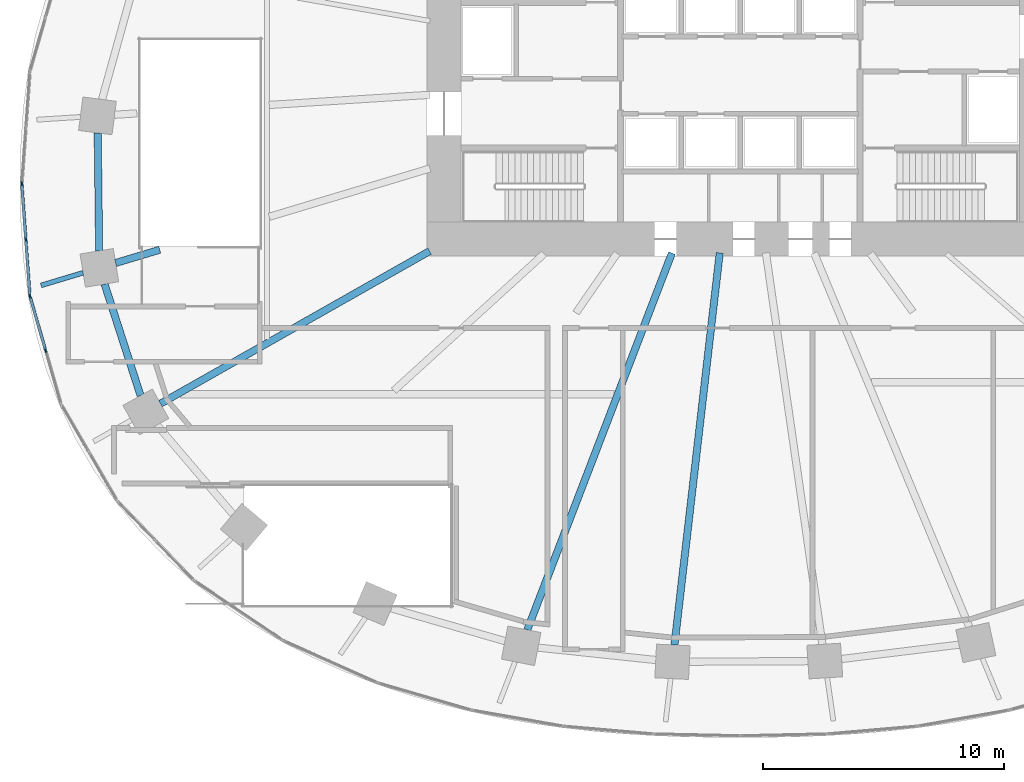
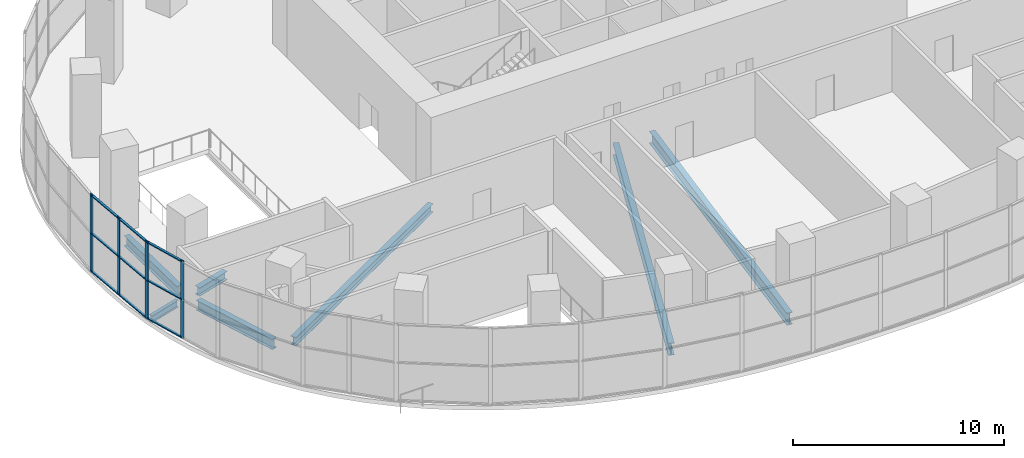
# One storey, part 3 of 17: 13 members, 7 beams, 2 elements without a shape of their own.
"""IFC4 building model written with IfcOpenShell, lengths in metres."""

from ifc_helpers import new_model, si_unit, direction, frame, origin, origin_2d, place, context, subcontext, project, spatial, rectangle, i_section, extrude, material, material_profile, profile_set, type_object, element, aggregate, save


model = new_model("IFC4")

# Units and contexts
model_context = context("Model", 3, precision=1e-05, world=origin(), true_north=direction((0.0, 1.0)))
body_context = subcontext(model_context, "Body", "Model", "MODEL_VIEW")
ifc_project = project(units=[si_unit("LENGTHUNIT", "METRE"), si_unit("AREAUNIT", "SQUARE_METRE"), si_unit("VOLUMEUNIT", "CUBIC_METRE"), si_unit("PLANEANGLEUNIT", "RADIAN"), si_unit("MASSUNIT", "GRAM", prefix="KILO")], contexts=[model_context])

# Site, building, storey
site_placement = place(None, origin())
site = spatial("IfcSite", under=ifc_project, at=site_placement, CompositionType="ELEMENT")
building_placement = place(site_placement, origin())
building = spatial("IfcBuilding", under=site, at=building_placement, Name="Rubra Terraces Tower", CompositionType="ELEMENT")
storey_placement = place(building_placement, frame((0.0, 0.0, 28.199951171875)))
storey = spatial("IfcBuildingStorey", under=building, at=storey_placement, Name="L04", CompositionType="ELEMENT", Elevation=28.199951171875)

# Beams
ifc_material_1 = material(Name="Steel Q355B", Category="steel")
ifc_material_profile_1 = material_profile(ifc_material_1, i_section(OverallWidth=0.199951171875, OverallDepth=0.39990234375, WebThickness=0.008056640625, FlangeThickness=0.012939453125, at=origin_2d()), Name="HN 400x200x8x13")
ifc_profile_set_1 = profile_set([ifc_material_profile_1], Name="Steel Q355B")
beam_type_1 = type_object("IfcBeamType", Name="CANTILEVER BEAM HN 400x200x8x13", PredefinedType="BEAM", material=ifc_profile_set_1)
beam_1_placement = place(storey_placement, frame((-27.281005859375, -3.7060546875, -0.449951171875), z_axis=(-0.95756392402, -0.28822097671, 0.0), x_axis=(0.28822097671, -0.95756392402, 0.0)))
element("IfcBeam", 1, at=beam_1_placement, inside=storey, type_object=beam_type_1, Name="beam-L04-cant-13", PredefinedType="BEAM", context=body_context, shape_type="SweptSolid", body=[
    extrude(i_section(OverallWidth=0.199951171875, OverallDepth=0.39990234375, WebThickness=0.008056640625, FlangeThickness=0.012939453125, at=origin_2d()), origin(), (0.0, 0.0, 1.0), 1.8212890625),
])
ifc_material_profile_2 = material_profile(ifc_material_1, i_section(OverallWidth=0.300048828125, OverallDepth=0.48193359375, WebThickness=0.010986328125, FlangeThickness=0.014892578125, at=origin_2d()), Name="HM 482x300x11x15")
ifc_profile_set_2 = profile_set([ifc_material_profile_2], Name="Steel Q355B")
beam_type_2 = type_object("IfcBeamType", Name="FLOOR BEAM HM 482x300x11x15", PredefinedType="BEAM", material=ifc_profile_set_2)
beam_2_placement = place(storey_placement, frame((-25.928955078125, -3.300048828125, -0.490966796875), z_axis=(0.957526889741, 0.288343988011, 0.0), x_axis=(-0.288343988011, 0.957526889741, 0.0)))
element("IfcBeam", 2, at=beam_2_placement, inside=storey, type_object=beam_type_2, Name="beam-L04-floor-13-a", PredefinedType="BEAM", context=body_context, shape_type="SweptSolid", body=[
    extrude(i_section(OverallWidth=0.300048828125, OverallDepth=0.48193359375, WebThickness=0.010986328125, FlangeThickness=0.014892578125, at=origin_2d()), origin(), (0.0, 0.0, 1.0), 1.910888671875),
])
beam_3_placement = place(storey_placement, frame((-24.06689453125, -9.137939453125, -0.490966796875), z_axis=(0.869992824144, 0.493064383157, 0.0), x_axis=(-0.493064383157, 0.869992824144, 0.0)))
element("IfcBeam", 3, at=beam_3_placement, inside=storey, type_object=beam_type_2, Name="beam-L04-floor-14", PredefinedType="BEAM", context=body_context, shape_type="SweptSolid", body=[
    extrude(i_section(OverallWidth=0.300048828125, OverallDepth=0.48193359375, WebThickness=0.010986328125, FlangeThickness=0.014892578125, at=origin_2d()), origin(), (0.0, 0.0, 1.0), 12.84033203125),
])
ifc_material_profile_3 = material_profile(ifc_material_1, i_section(OverallWidth=0.300048828125, OverallDepth=0.699951171875, WebThickness=0.012939453125, FlangeThickness=0.02392578125, at=origin_2d()), Name="HN 700x300x13x24")
ifc_profile_set_3 = profile_set([ifc_material_profile_3], Name="Steel Q355B")
beam_type_3 = type_object("IfcBeamType", Name="FLOOR BEAM HN 700x300x13x24", PredefinedType="BEAM", material=ifc_profile_set_3)
beam_4_placement = place(storey_placement, frame((-8.839111328125, -18.529052734375, -0.599853515625), z_axis=(0.358321803184, 0.933598139117, 0.0), x_axis=(-0.933598139117, 0.358321803184, 0.0)))
element("IfcBeam", 4, at=beam_4_placement, inside=storey, type_object=beam_type_3, Name="beam-L04-floor-17", PredefinedType="BEAM", context=body_context, shape_type="SweptSolid", body=[
    extrude(i_section(OverallWidth=0.300048828125, OverallDepth=0.699951171875, WebThickness=0.012939453125, FlangeThickness=0.02392578125, at=origin_2d()), origin(), (0.0, 0.0, 1.0), 16.753662109375),
])
beam_5_placement = place(storey_placement, frame((-2.73095703125, -19.156982421875, -0.599853515625), z_axis=(0.114679535872, 0.993402538779, 0.0), x_axis=(-0.993402538779, 0.114679535872, 0.0)))
element("IfcBeam", 5, at=beam_5_placement, inside=storey, type_object=beam_type_3, Name="beam-L04-floor-18", PredefinedType="BEAM", context=body_context, shape_type="SweptSolid", body=[
    extrude(i_section(OverallWidth=0.300048828125, OverallDepth=0.699951171875, WebThickness=0.012939453125, FlangeThickness=0.02392578125, at=origin_2d()), origin(), (0.0, 0.0, 1.0), 16.384033203125),
])

# Curtain wall, members
ifc_material_2 = material(Name="Aluminium and glass", Category="aluminium")
curtain_wall_type = type_object("IfcCurtainWallType", Name="Curtain wall Podium glazing", PredefinedType="NOTDEFINED", material=ifc_material_2)
curtain_wall_1_placement = place(storey_placement, origin())
curtain_wall_1 = element("IfcCurtainWall", 6, at=curtain_wall_1_placement, inside=storey, type_object=curtain_wall_type, Name="L04 glazing bay 21", PredefinedType="NOTDEFINED")
ifc_material_3 = material(Name="Aluminium, anodised dark grey", Category="aluminium")
ifc_material_profile_4 = material_profile(ifc_material_3, rectangle(XDim=0.06005859375, YDim=0.199951171875, at=origin_2d()), Name="AL 60x200")
ifc_profile_set_4 = profile_set([ifc_material_profile_4], Name="Aluminium, anodised dark grey")
member_type_1 = type_object("IfcMemberType", Name="Podium glazing mullion 60 x 200", PredefinedType="MULLION", material=ifc_profile_set_4)
member_1_placement = place(storey_placement, frame((-29.822998046875, -0.0244140625, 0.0), z_axis=(0.0, 0.0, 1.0), x_axis=(0.997419621076, 0.071792057306, 0.0)))
member_1 = element("IfcMember", 7, at=member_1_placement, type_object=member_type_1, Name="CW1 mullion 1", PredefinedType="MULLION", context=body_context, shape_type="SweptSolid", body=[
    extrude(rectangle(XDim=0.06005859375, YDim=0.199951171875, at=origin_2d()), origin(), (0.0, 0.0, 1.0), 4.5),
])
member_2_placement = place(storey_placement, frame((-29.65673828125, -2.335693359375, 0.0), z_axis=(0.0, 0.0, 1.0), x_axis=(0.997419621076, 0.071792057306, 0.0)))
member_2 = element("IfcMember", 8, at=member_2_placement, type_object=member_type_1, Name="CW1 mullion 2", PredefinedType="MULLION", context=body_context, shape_type="SweptSolid", body=[
    extrude(rectangle(XDim=0.06005859375, YDim=0.199951171875, at=origin_2d()), origin(), (0.0, 0.0, 1.0), 4.5),
])

curtain_wall_2_placement = place(storey_placement, origin())
curtain_wall_2 = element("IfcCurtainWall", 9, at=curtain_wall_2_placement, inside=storey, type_object=curtain_wall_type, Name="L04 glazing bay 22", PredefinedType="NOTDEFINED")
member_3_placement = place(storey_placement, frame((-29.482666015625, -4.690185546875, 0.0), z_axis=(0.0, 0.0, 1.0), x_axis=(0.961047339404, 0.276383811798, 0.0)))
member_3 = element("IfcMember", 10, at=member_3_placement, type_object=member_type_1, Name="CW1 mullion 1", PredefinedType="MULLION", context=body_context, shape_type="SweptSolid", body=[
    extrude(rectangle(XDim=0.06005859375, YDim=0.199951171875, at=origin_2d()), origin(), (0.0, 0.0, 1.0), 4.5),
])
member_4_placement = place(storey_placement, frame((-28.843505859375, -6.912841796875, 0.0), z_axis=(0.0, 0.0, 1.0), x_axis=(0.961047339404, 0.276383811798, 0.0)))
member_4 = element("IfcMember", 11, at=member_4_placement, type_object=member_type_1, Name="CW1 mullion 2", PredefinedType="MULLION", context=body_context, shape_type="SweptSolid", body=[
    extrude(rectangle(XDim=0.06005859375, YDim=0.199951171875, at=origin_2d()), origin(), (0.0, 0.0, 1.0), 4.5),
])

# Member
ifc_material_profile_5 = material_profile(ifc_material_3, rectangle(XDim=0.1201171875, YDim=0.06005859375, at=origin_2d()), Name="AL 120x60")
ifc_profile_set_5 = profile_set([ifc_material_profile_5], Name="Aluminium, anodised dark grey")
member_type_2 = type_object("IfcMemberType", Name="Podium glazing transom 120 x 60", PredefinedType="USERDEFINED", material=ifc_profile_set_5)
member_5_placement = place(storey_placement, frame((-29.82080078125, -0.054443359375, 0.06005859375), z_axis=(0.071715956886, -0.997425095698, 0.0), x_axis=(0.997425095698, 0.071715956886, 0.0)))
member_5 = element("IfcMember", 12, at=member_5_placement, type_object=member_type_2, Name="CW1 transom 1.1", ObjectType="TRANSOM", PredefinedType="USERDEFINED", context=body_context, shape_type="SweptSolid", body=[
    extrude(rectangle(XDim=0.1201171875, YDim=0.06005859375, at=origin_2d()), origin(), (0.0, 0.0, 1.0), 2.257080078125),
])

member_6_placement = place(storey_placement, frame((-29.82080078125, -0.054443359375, 2.25), z_axis=(0.071715956886, -0.997425095698, 0.0), x_axis=(0.997425095698, 0.071715956886, 0.0)))
member_6 = element("IfcMember", 13, at=member_6_placement, type_object=member_type_2, Name="CW1 transom 1.2", ObjectType="TRANSOM", PredefinedType="USERDEFINED", context=body_context, shape_type="SweptSolid", body=[
    extrude(rectangle(XDim=0.1201171875, YDim=0.06005859375, at=origin_2d()), origin(), (0.0, 0.0, 1.0), 2.257080078125),
])

member_7_placement = place(storey_placement, frame((-29.82080078125, -0.054443359375, 4.43994140625), z_axis=(0.071715956886, -0.997425095698, 0.0), x_axis=(0.997425095698, 0.071715956886, 0.0)))
member_7 = element("IfcMember", 14, at=member_7_placement, type_object=member_type_2, Name="CW1 transom 1.3", ObjectType="TRANSOM", PredefinedType="USERDEFINED", context=body_context, shape_type="SweptSolid", body=[
    extrude(rectangle(XDim=0.1201171875, YDim=0.06005859375, at=origin_2d()), origin(), (0.0, 0.0, 1.0), 2.257080078125),
])

member_8_placement = place(storey_placement, frame((-29.654541015625, -2.365478515625, 0.06005859375), z_axis=(0.071823568166, -0.997417352494, 0.0), x_axis=(0.997417352494, 0.071823568166, 0.0)))
member_8 = element("IfcMember", 15, at=member_8_placement, type_object=member_type_2, Name="CW1 transom 2.1", ObjectType="TRANSOM", PredefinedType="USERDEFINED", context=body_context, shape_type="SweptSolid", body=[
    extrude(rectangle(XDim=0.1201171875, YDim=0.06005859375, at=origin_2d()), origin(), (0.0, 0.0, 1.0), 2.257080078125),
])

member_9_placement = place(storey_placement, frame((-29.654541015625, -2.365478515625, 2.25), z_axis=(0.071823568166, -0.997417352494, 0.0), x_axis=(0.997417352494, 0.071823568166, 0.0)))
member_9 = element("IfcMember", 16, at=member_9_placement, type_object=member_type_2, Name="CW1 transom 2.2", ObjectType="TRANSOM", PredefinedType="USERDEFINED", context=body_context, shape_type="SweptSolid", body=[
    extrude(rectangle(XDim=0.1201171875, YDim=0.06005859375, at=origin_2d()), origin(), (0.0, 0.0, 1.0), 2.257080078125),
])

member_10_placement = place(storey_placement, frame((-29.654541015625, -2.365478515625, 4.43994140625), z_axis=(0.071823568166, -0.997417352494, 0.0), x_axis=(0.997417352494, 0.071823568166, 0.0)))
member_10 = element("IfcMember", 17, at=member_10_placement, type_object=member_type_2, Name="CW1 transom 2.3", ObjectType="TRANSOM", PredefinedType="USERDEFINED", context=body_context, shape_type="SweptSolid", body=[
    extrude(rectangle(XDim=0.1201171875, YDim=0.06005859375, at=origin_2d()), origin(), (0.0, 0.0, 1.0), 2.257080078125),
])

aggregate(curtain_wall_1, [member_1, member_2, member_5, member_6, member_7, member_8, member_9, member_10])

member_11_placement = place(storey_placement, frame((-29.474365234375, -4.718994140625, 0.06005859375), z_axis=(0.276352469421, -0.961056352481, 0.0), x_axis=(0.961056352481, 0.276352469421, 0.0)))
member_11 = element("IfcMember", 18, at=member_11_placement, type_object=member_type_2, Name="CW1 transom 1.1", ObjectType="TRANSOM", PredefinedType="USERDEFINED", context=body_context, shape_type="SweptSolid", body=[
    extrude(rectangle(XDim=0.1201171875, YDim=0.06005859375, at=origin_2d()), origin(), (0.0, 0.0, 1.0), 2.252685546875),
])

member_12_placement = place(storey_placement, frame((-29.474365234375, -4.718994140625, 2.25), z_axis=(0.276352469421, -0.961056352481, 0.0), x_axis=(0.961056352481, 0.276352469421, 0.0)))
member_12 = element("IfcMember", 19, at=member_12_placement, type_object=member_type_2, Name="CW1 transom 1.2", ObjectType="TRANSOM", PredefinedType="USERDEFINED", context=body_context, shape_type="SweptSolid", body=[
    extrude(rectangle(XDim=0.1201171875, YDim=0.06005859375, at=origin_2d()), origin(), (0.0, 0.0, 1.0), 2.252685546875),
])

member_13_placement = place(storey_placement, frame((-29.474365234375, -4.718994140625, 4.43994140625), z_axis=(0.276352469421, -0.961056352481, 0.0), x_axis=(0.961056352481, 0.276352469421, 0.0)))
member_13 = element("IfcMember", 20, at=member_13_placement, type_object=member_type_2, Name="CW1 transom 1.3", ObjectType="TRANSOM", PredefinedType="USERDEFINED", context=body_context, shape_type="SweptSolid", body=[
    extrude(rectangle(XDim=0.1201171875, YDim=0.06005859375, at=origin_2d()), origin(), (0.0, 0.0, 1.0), 2.252685546875),
])

aggregate(curtain_wall_2, [member_3, member_4, member_11, member_12, member_13])

# Beams
ifc_material_profile_6 = material_profile(ifc_material_1, i_section(OverallWidth=0.300048828125, OverallDepth=0.587890625, WebThickness=0.011962890625, FlangeThickness=0.02001953125, at=origin_2d()), Name="HM 588x300x12x20")
ifc_profile_set_6 = profile_set([ifc_material_profile_6], Name="Steel Q355B")
beam_type_4 = type_object("IfcBeamType", Name="SPANDREL BEAM HM 588x300x12x20", PredefinedType="SPANDREL", material=ifc_profile_set_6)
beam_6_placement = place(storey_placement, frame((-26.675048828125, 2.10107421875, -0.5439453125), z_axis=(0.012465372298, -0.999922304228, 0.0), x_axis=(0.999922304228, 0.012465372298, 0.0)))
element("IfcBeam", 21, at=beam_6_placement, inside=storey, type_object=beam_type_4, Name="beam-L04-spandrel-12", PredefinedType="SPANDREL", context=body_context, shape_type="SweptSolid", body=[
    extrude(i_section(OverallWidth=0.300048828125, OverallDepth=0.587890625, WebThickness=0.011962890625, FlangeThickness=0.02001953125, at=origin_2d()), origin(), (0.0, 0.0, 1.0), 4.896484375),
])
beam_7_placement = place(storey_placement, frame((-26.387939453125, -4.177001953125, -0.5439453125), z_axis=(0.30706880261, -0.951687317591, 0.0), x_axis=(0.951687317591, 0.30706880261, 0.0)))
element("IfcBeam", 22, at=beam_7_placement, inside=storey, type_object=beam_type_4, Name="beam-L04-spandrel-13", PredefinedType="SPANDREL", context=body_context, shape_type="SweptSolid", body=[
    extrude(i_section(OverallWidth=0.300048828125, OverallDepth=0.587890625, WebThickness=0.011962890625, FlangeThickness=0.02001953125, at=origin_2d()), origin(), (0.0, 0.0, 1.0), 4.86181640625),
])

save(model, "model.ifc")
